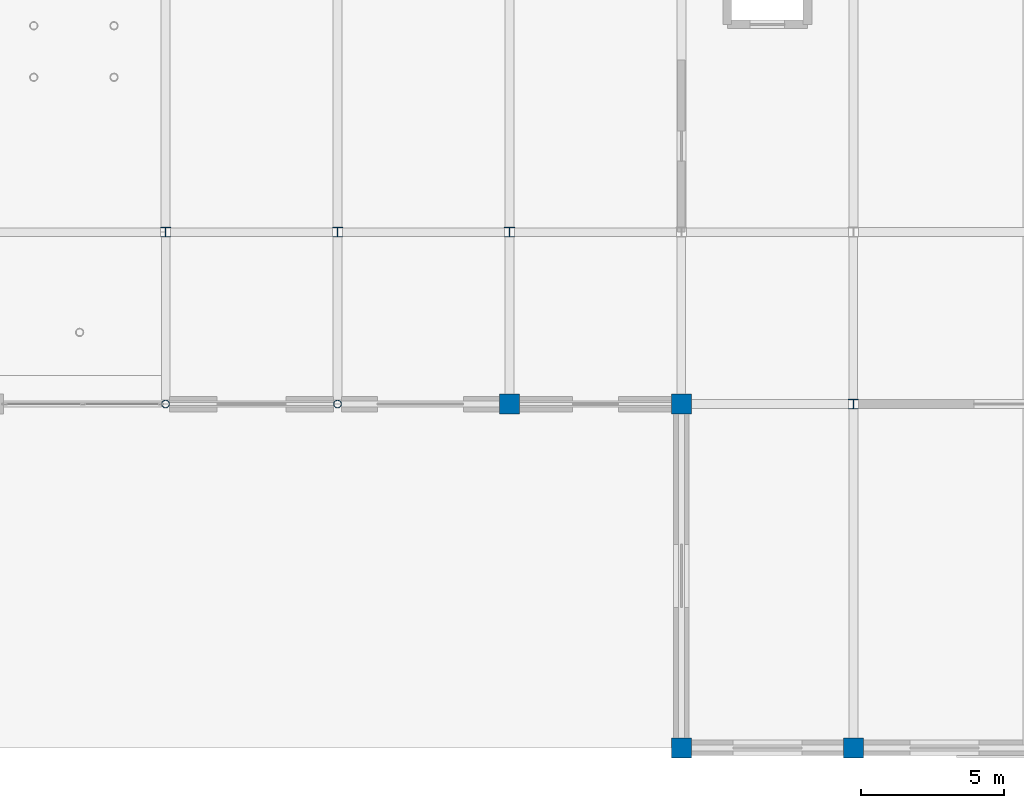
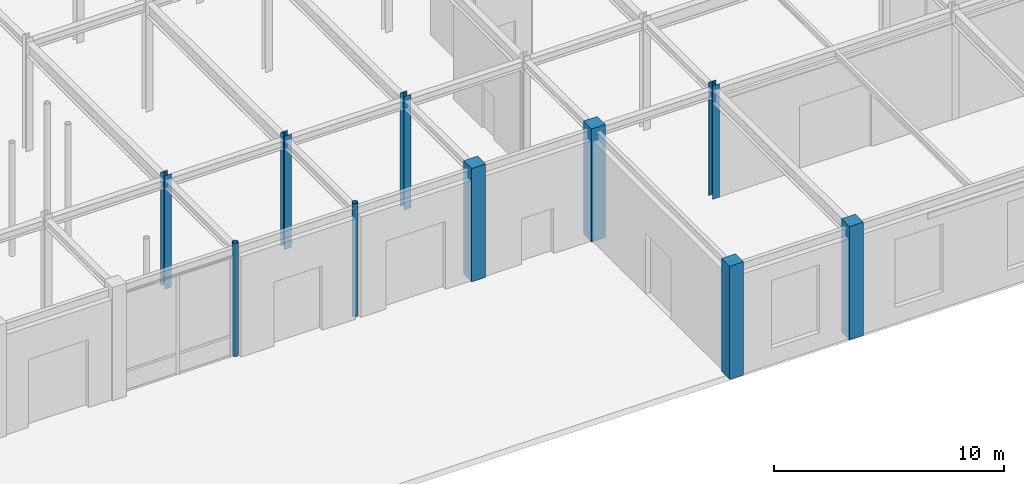
# One storey, part 9 of 51: 10 columns.
"""IFC4 building model written with IfcOpenShell, lengths in metres."""

from ifc_helpers import new_model, si_unit, direction, frame, origin, origin_2d, place, context, subcontext, project, spatial, rectangle, hollow_circle, i_section, extrude, material, material_profile, profile_set, type_object, element, save


model = new_model("IFC4")

# Units and contexts
model_context = context("Model", 3, precision=1e-05, world=origin(), true_north=direction((0.0, 1.0)))
body_context = subcontext(model_context, "Body", "Model", "MODEL_VIEW")
ifc_project = project(units=[si_unit("LENGTHUNIT", "METRE"), si_unit("AREAUNIT", "SQUARE_METRE"), si_unit("VOLUMEUNIT", "CUBIC_METRE"), si_unit("PLANEANGLEUNIT", "RADIAN"), si_unit("MASSUNIT", "GRAM", prefix="KILO")], contexts=[model_context])

# Site, building, storey
site_placement = place(None, origin())
site = spatial("IfcSite", under=ifc_project, at=site_placement, CompositionType="ELEMENT")
building_placement = place(site_placement, origin())
building = spatial("IfcBuilding", under=site, at=building_placement, Name="Zlatovratsky Civic Hall", CompositionType="ELEMENT")
storey_placement = place(building_placement, origin())
storey = spatial("IfcBuildingStorey", under=building, at=storey_placement, Name="L01", CompositionType="ELEMENT", Elevation=0.0)

# Columns
ifc_material_1 = material(Name="Concrete C35/45 (B40)", Category="concrete")
ifc_material_profile_1 = material_profile(ifc_material_1, rectangle(XDim=0.699951171875, YDim=0.699951171875, at=origin_2d()), Name="RC 700x700")
ifc_profile_set_1 = profile_set([ifc_material_profile_1], Name="Concrete C35/45 (B40)")
column_type_1 = type_object("IfcColumnType", Name="Col_CorePier_RC700", PredefinedType="COLUMN", material=ifc_profile_set_1)
for number, where, z_axis, x_axis, name in (
    (1, (114.0, 0.0, 0.0), (0.0, 0.0, 1.0), (1.0, 0.0, 0.0), "CL-0424"),
    (2, (120.0, 0.0, 0.0), (0.0, 0.0, 1.0), (1.0, 0.0, 0.0), "CL-0425"),
    (3, (108.0, 12.0, 0.0), (0.0, 0.0, 1.0), (1.0, 0.0, 0.0), "CL-0446"),
    (4, (114.0, 12.0, 0.0), (0.0, 0.0, 1.0), (1.0, 0.0, 0.0), "CL-0447"),
):
    element("IfcColumn", number, at=place(storey_placement, frame(where, z_axis=z_axis, x_axis=x_axis)), inside=storey, type_object=column_type_1, Name=name, PredefinedType="COLUMN", context=body_context, shape_type="SweptSolid", body=[
        extrude(rectangle(XDim=0.699951171875, YDim=0.699951171875, at=origin_2d()), origin(), (0.0, 0.0, 1.0), 6.0),
    ])
ifc_material_2 = material(Name="Steel S355", Category="steel")
ifc_material_profile_2 = material_profile(ifc_material_2, hollow_circle(Radius=0.136474609375, WallThickness=0.010009765625, at=origin_2d()), Name="CHS 273x10")
ifc_profile_set_2 = profile_set([ifc_material_profile_2], Name="Steel S355")
column_type_2 = type_object("IfcColumnType", Name="Col_Portico_CHS273", PredefinedType="COLUMN", material=ifc_profile_set_2)
for number, where, z_axis, x_axis, name in (
    (5, (96.0, 12.0, 0.0), (0.0, 0.0, 1.0), (1.0, 0.0, 0.0), "CL-0444"),
    (6, (102.0, 12.0, 0.0), (0.0, 0.0, 1.0), (1.0, 0.0, 0.0), "CL-0445"),
):
    element("IfcColumn", number, at=place(storey_placement, frame(where, z_axis=z_axis, x_axis=x_axis)), inside=storey, type_object=column_type_2, Name=name, PredefinedType="COLUMN", context=body_context, shape_type="SweptSolid", body=[
        extrude(hollow_circle(Radius=0.136474609375, WallThickness=0.010009765625, at=origin_2d()), origin(), (0.0, 0.0, 1.0), 6.0),
    ])
ifc_material_profile_3 = material_profile(ifc_material_2, i_section(OverallWidth=0.35009765625, OverallDepth=0.343017578125, WebThickness=0.010009765625, FlangeThickness=0.014892578125, FilletRadius=0.02001953125, at=origin_2d()), Name="35K1")
ifc_profile_set_3 = profile_set([ifc_material_profile_3], Name="Steel S355")
column_type_3 = type_object("IfcColumnType", Name="Col_Steel_35K1", PredefinedType="COLUMN", material=ifc_profile_set_3)
for number, where, z_axis, x_axis, name in (
    (7, (120.0, 12.0, 0.0), (0.0, 0.0, 1.0), (1.0, 0.0, 0.0), "CL-0448"),
    (8, (96.0, 18.0, 0.0), (0.0, 0.0, 1.0), (1.0, 0.0, 0.0), "CL-0467"),
    (9, (102.0, 18.0, 0.0), (0.0, 0.0, 1.0), (1.0, 0.0, 0.0), "CL-0468"),
    (10, (108.0, 18.0, 0.0), (0.0, 0.0, 1.0), (1.0, 0.0, 0.0), "CL-0469"),
):
    element("IfcColumn", number, at=place(storey_placement, frame(where, z_axis=z_axis, x_axis=x_axis)), inside=storey, type_object=column_type_3, Name=name, PredefinedType="COLUMN", context=body_context, shape_type="SweptSolid", body=[
        extrude(i_section(OverallWidth=0.35009765625, OverallDepth=0.343017578125, WebThickness=0.010009765625, FlangeThickness=0.014892578125, FilletRadius=0.02001953125, at=origin_2d()), origin(), (0.0, 0.0, 1.0), 6.0),
    ])

save(model, "model.ifc")
